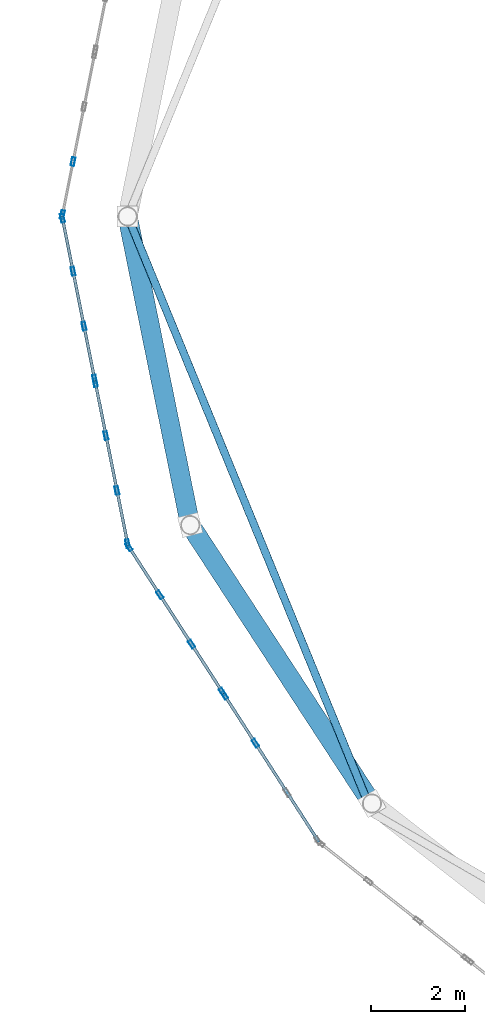
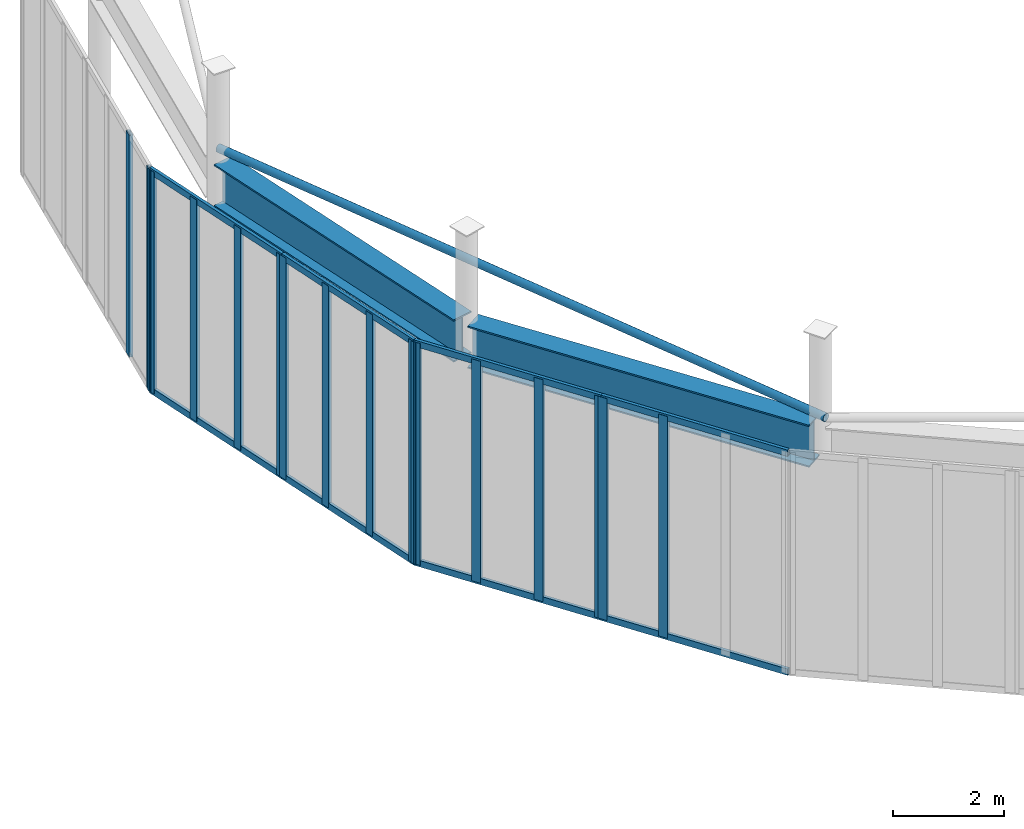
# One storey, part 29 of 91: 25 members, 2 beams, 5 elements without a shape of their own.
"""IFC4 building model written with IfcOpenShell, lengths in metres."""

from ifc_helpers import new_model, si_unit, direction, frame, origin, origin_2d, place, context, subcontext, project, spatial, hollow_rectangle, hollow_circle, i_section, extrude, material, layer, layer_set, material_profile, profile_set, type_object, element, aggregate, save


model = new_model("IFC4")

# Units and contexts
model_context = context("Model", 3, precision=1e-05, world=origin(), true_north=direction((0.0, 1.0)))
body_context = subcontext(model_context, "Body", "Model", "MODEL_VIEW")
ifc_project = project(units=[si_unit("LENGTHUNIT", "METRE"), si_unit("AREAUNIT", "SQUARE_METRE"), si_unit("VOLUMEUNIT", "CUBIC_METRE"), si_unit("PLANEANGLEUNIT", "RADIAN"), si_unit("MASSUNIT", "GRAM", prefix="KILO")], contexts=[model_context])

# Site, building, storey
site_placement = place(None, origin())
site = spatial("IfcSite", under=ifc_project, at=site_placement, CompositionType="ELEMENT")
building_placement = place(site_placement, origin())
building = spatial("IfcBuilding", under=site, at=building_placement, Name="Sollismere Congress Hotel", CompositionType="ELEMENT")
storey_placement = place(building_placement, frame((0.0, 0.0, 10.800048828125)))
storey = spatial("IfcBuildingStorey", under=building, at=storey_placement, Name="L02", CompositionType="ELEMENT", Elevation=10.800048828125)

# Beams
ifc_material_1 = material(Name="Steel ASTM A992 Grade 50", Category="steel")
ifc_material_profile_1 = material_profile(ifc_material_1, i_section(OverallWidth=0.4189453125, OverallDepth=0.927001953125, WebThickness=0.019287109375, FlangeThickness=0.031982421875, at=origin_2d()), Name="W36X231")
ifc_profile_set_1 = profile_set([ifc_material_profile_1], Name="Steel ASTM A992 Grade 50")
beam_type = type_object("IfcBeamType", Name="BM-RG36", PredefinedType="SPANDREL", material=ifc_profile_set_1)
beam_1_placement = place(storey_placement, frame((1.673828125, 90.282470703125, 4.156494140625), z_axis=(0.198827417532, -0.980034518799, 0.0), x_axis=(0.980034518799, 0.198827417532, 0.0)))
element("IfcBeam", 1, at=beam_1_placement, inside=storey, type_object=beam_type, Name="Beam BM-L02-4216", PredefinedType="SPANDREL", context=body_context, shape_type="SweptSolid", body=[
    extrude(i_section(OverallWidth=0.4189453125, OverallDepth=0.927001953125, WebThickness=0.019287109375, FlangeThickness=0.031982421875, at=origin_2d()), origin(), (0.0, 0.0, 1.0), 6.491943359375),
])
beam_2_placement = place(storey_placement, frame((3.05419921875, 83.701904296875, 4.156494140625), z_axis=(0.546609343854, -0.837387738871, 0.0), x_axis=(0.837387738871, 0.546609343854, 0.0)))
element("IfcBeam", 2, at=beam_2_placement, inside=storey, type_object=beam_type, Name="Beam BM-L02-4217", PredefinedType="SPANDREL", context=body_context, shape_type="SweptSolid", body=[
    extrude(i_section(OverallWidth=0.4189453125, OverallDepth=0.927001953125, WebThickness=0.019287109375, FlangeThickness=0.031982421875, at=origin_2d()), origin(), (0.0, 0.0, 1.0), 6.8671875),
])

# Member
ifc_material_2 = material(Name="Steel ASTM A500 Grade C", Category="steel")
ifc_material_profile_2 = material_profile(ifc_material_2, hollow_circle(Radius=0.083984375, WallThickness=0.008056640625, at=origin_2d()), Name="CHS168X8")
ifc_profile_set_2 = profile_set([ifc_material_profile_2], Name="Steel ASTM A500 Grade C")
member_type_1 = type_object("IfcMemberType", Name="MB-TI168", PredefinedType="STRINGER", material=ifc_profile_set_2)
member_1_placement = place(storey_placement, frame((1.653076171875, 90.39990234375, 4.820068359375), z_axis=(0.379095812585, -0.925357425474, 0.0), x_axis=(0.925357425474, 0.379095812585, 0.0)))
element("IfcMember", 3, at=member_1_placement, inside=storey, type_object=member_type_1, Name="MEM-DT-06", PredefinedType="STRINGER", context=body_context, shape_type="SweptSolid", body=[
    extrude(hollow_circle(Radius=0.083984375, WallThickness=0.008056640625, at=origin_2d()), origin(), (0.0, 0.0, 1.0), 13.776611328125),
])

# Curtain wall, members
ifc_material_3 = material(Name="Anodized Bronze Curtain Wall & Low-E Triple Glazing", Category="glass")
ifc_layer = layer(ifc_material_3, 0.199951171875, Name="Anodized Bronze Curtain Wall & Low-E Triple Glazing")
ifc_layer_set = layer_set([ifc_layer], Name="Anodized Bronze Curtain Wall & Low-E Triple Glazing")
curtain_wall_type = type_object("IfcCurtainWallType", Name="CW-GLZ36", PredefinedType="USERDEFINED", material=ifc_layer_set)
curtain_wall_1_placement = place(storey_placement, origin())
curtain_wall_1 = element("IfcCurtainWall", 4, at=curtain_wall_1_placement, inside=storey, type_object=curtain_wall_type, Name="Unitised curtain wall CW-L02-042", ObjectType="UNITISED CURTAIN WALL", PredefinedType="USERDEFINED")
ifc_material_4 = material(Name="Anodized Aluminum 6063-T6", Category="aluminium")
ifc_material_profile_3 = material_profile(ifc_material_4, hollow_rectangle(XDim=0.074951171875, YDim=0.179931640625, WallThickness=0.0048828125, at=origin_2d()), Name="ALU180X75X5")
ifc_profile_set_3 = profile_set([ifc_material_profile_3], Name="Anodized Aluminum 6063-T6")
member_type_2 = type_object("IfcMemberType", Name="ML-CW180", PredefinedType="MULLION", material=ifc_profile_set_3)
member_2_placement = place(storey_placement, frame((0.484619140625, 91.57177734375, 0.0), z_axis=(0.0, 0.0, 1.0), x_axis=(0.98055305186, -0.196254203749, 0.0)))
member_2 = element("IfcMember", 5, at=member_2_placement, type_object=member_type_2, Name="CWL-CW-L02-042-ML03", PredefinedType="MULLION", context=body_context, shape_type="SweptSolid", body=[
    extrude(hollow_rectangle(XDim=0.074951171875, YDim=0.179931640625, WallThickness=0.0048828125, at=origin_2d()), origin(), (0.0, 0.0, 1.0), 4.85986328125),
])
member_3_placement = place(storey_placement, frame((0.257568359375, 90.437255859375, 0.0), z_axis=(0.0, 0.0, 1.0), x_axis=(0.98055305186, -0.196254203749, 0.0)))
member_3 = element("IfcMember", 6, at=member_3_placement, type_object=member_type_2, Name="CWL-CW-L02-042-ML04", PredefinedType="MULLION", context=body_context, shape_type="SweptSolid", body=[
    extrude(hollow_rectangle(XDim=0.074951171875, YDim=0.179931640625, WallThickness=0.0048828125, at=origin_2d()), origin(), (0.0, 0.0, 1.0), 4.85986328125),
])
aggregate(curtain_wall_1, [member_2, member_3])

curtain_wall_2_placement = place(storey_placement, origin())
curtain_wall_2 = element("IfcCurtainWall", 7, at=curtain_wall_2_placement, inside=storey, type_object=curtain_wall_type, Name="Unitised curtain wall CW-L02-045", ObjectType="UNITISED CURTAIN WALL", PredefinedType="USERDEFINED")
member_4_placement = place(storey_placement, frame((0.257568359375, 90.36279296875, 0.0), z_axis=(0.0, 0.0, 1.0), x_axis=(0.98055305186, 0.196254203749, 0.0)))
member_4 = element("IfcMember", 8, at=member_4_placement, type_object=member_type_2, Name="CWL-CW-L02-045-ML01", PredefinedType="MULLION", context=body_context, shape_type="SweptSolid", body=[
    extrude(hollow_rectangle(XDim=0.074951171875, YDim=0.179931640625, WallThickness=0.0048828125, at=origin_2d()), origin(), (0.0, 0.0, 1.0), 4.85986328125),
])
member_5_placement = place(storey_placement, frame((0.484619140625, 89.228271484375, 0.0), z_axis=(0.0, 0.0, 1.0), x_axis=(0.98055305186, 0.196254203749, 0.0)))
member_5 = element("IfcMember", 9, at=member_5_placement, type_object=member_type_2, Name="CWL-CW-L02-045-ML02", PredefinedType="MULLION", context=body_context, shape_type="SweptSolid", body=[
    extrude(hollow_rectangle(XDim=0.074951171875, YDim=0.179931640625, WallThickness=0.0048828125, at=origin_2d()), origin(), (0.0, 0.0, 1.0), 4.85986328125),
])
member_6_placement = place(storey_placement, frame((0.718994140625, 88.056640625, 0.0), z_axis=(0.0, 0.0, 1.0), x_axis=(0.98055305186, 0.196254203749, 0.0)))
member_6 = element("IfcMember", 10, at=member_6_placement, type_object=member_type_2, Name="CWL-CW-L02-045-ML03", PredefinedType="MULLION", context=body_context, shape_type="SweptSolid", body=[
    extrude(hollow_rectangle(XDim=0.074951171875, YDim=0.179931640625, WallThickness=0.0048828125, at=origin_2d()), origin(), (0.0, 0.0, 1.0), 4.85986328125),
])
member_7_placement = place(storey_placement, frame((0.946044921875, 86.922119140625, 0.0), z_axis=(0.0, 0.0, 1.0), x_axis=(0.98055305186, 0.196254203749, 0.0)))
member_7 = element("IfcMember", 11, at=member_7_placement, type_object=member_type_2, Name="CWL-CW-L02-045-ML04", PredefinedType="MULLION", context=body_context, shape_type="SweptSolid", body=[
    extrude(hollow_rectangle(XDim=0.074951171875, YDim=0.179931640625, WallThickness=0.0048828125, at=origin_2d()), origin(), (0.0, 0.0, 1.0), 4.85986328125),
])

curtain_wall_3_placement = place(storey_placement, origin())
curtain_wall_3 = element("IfcCurtainWall", 12, at=curtain_wall_3_placement, inside=storey, type_object=curtain_wall_type, Name="Unitised curtain wall CW-L02-046", ObjectType="UNITISED CURTAIN WALL", PredefinedType="USERDEFINED")
member_8_placement = place(storey_placement, frame((0.9609375, 86.84765625, 0.0), z_axis=(0.0, 0.0, 1.0), x_axis=(0.98055305186, 0.196254203749, 0.0)))
member_8 = element("IfcMember", 13, at=member_8_placement, type_object=member_type_2, Name="CWL-CW-L02-046-ML01", PredefinedType="MULLION", context=body_context, shape_type="SweptSolid", body=[
    extrude(hollow_rectangle(XDim=0.074951171875, YDim=0.179931640625, WallThickness=0.0048828125, at=origin_2d()), origin(), (0.0, 0.0, 1.0), 4.85986328125),
])
member_9_placement = place(storey_placement, frame((1.18798828125, 85.71337890625, 0.0), z_axis=(0.0, 0.0, 1.0), x_axis=(0.98055305186, 0.196254203749, 0.0)))
member_9 = element("IfcMember", 14, at=member_9_placement, type_object=member_type_2, Name="CWL-CW-L02-046-ML02", PredefinedType="MULLION", context=body_context, shape_type="SweptSolid", body=[
    extrude(hollow_rectangle(XDim=0.074951171875, YDim=0.179931640625, WallThickness=0.0048828125, at=origin_2d()), origin(), (0.0, 0.0, 1.0), 4.85986328125),
])
member_10_placement = place(storey_placement, frame((1.422607421875, 84.54150390625, 0.0), z_axis=(0.0, 0.0, 1.0), x_axis=(0.98055305186, 0.196254203749, 0.0)))
member_10 = element("IfcMember", 15, at=member_10_placement, type_object=member_type_2, Name="CWL-CW-L02-046-ML03", PredefinedType="MULLION", context=body_context, shape_type="SweptSolid", body=[
    extrude(hollow_rectangle(XDim=0.074951171875, YDim=0.179931640625, WallThickness=0.0048828125, at=origin_2d()), origin(), (0.0, 0.0, 1.0), 4.85986328125),
])
member_11_placement = place(storey_placement, frame((1.649658203125, 83.4072265625, 0.0), z_axis=(0.0, 0.0, 1.0), x_axis=(0.98055305186, 0.196254203749, 0.0)))
member_11 = element("IfcMember", 16, at=member_11_placement, type_object=member_type_2, Name="CWL-CW-L02-046-ML04", PredefinedType="MULLION", context=body_context, shape_type="SweptSolid", body=[
    extrude(hollow_rectangle(XDim=0.074951171875, YDim=0.179931640625, WallThickness=0.0048828125, at=origin_2d()), origin(), (0.0, 0.0, 1.0), 4.85986328125),
])

curtain_wall_4_placement = place(storey_placement, origin())
curtain_wall_4 = element("IfcCurtainWall", 17, at=curtain_wall_4_placement, inside=storey, type_object=curtain_wall_type, Name="Unitised curtain wall CW-L02-051", ObjectType="UNITISED CURTAIN WALL", PredefinedType="USERDEFINED")
member_12_placement = place(storey_placement, frame((1.677734375, 83.337890625, 0.0), z_axis=(0.0, 0.0, 1.0), x_axis=(0.840774542547, 0.541385415951, 0.0)))
member_12 = element("IfcMember", 18, at=member_12_placement, type_object=member_type_2, Name="CWL-CW-L02-051-ML01", PredefinedType="MULLION", context=body_context, shape_type="SweptSolid", body=[
    extrude(hollow_rectangle(XDim=0.074951171875, YDim=0.179931640625, WallThickness=0.0048828125, at=origin_2d()), origin(), (0.0, 0.0, 1.0), 4.85986328125),
])
member_13_placement = place(storey_placement, frame((2.337646484375, 82.31298828125, 0.0), z_axis=(0.0, 0.0, 1.0), x_axis=(0.840774542547, 0.541385415951, 0.0)))
member_13 = element("IfcMember", 19, at=member_13_placement, type_object=member_type_2, Name="CWL-CW-L02-051-ML02", PredefinedType="MULLION", context=body_context, shape_type="SweptSolid", body=[
    extrude(hollow_rectangle(XDim=0.074951171875, YDim=0.179931640625, WallThickness=0.0048828125, at=origin_2d()), origin(), (0.0, 0.0, 1.0), 4.85986328125),
])
member_14_placement = place(storey_placement, frame((3.018310546875, 81.255859375, 0.0), z_axis=(0.0, 0.0, 1.0), x_axis=(0.840774542547, 0.541385415951, 0.0)))
member_14 = element("IfcMember", 20, at=member_14_placement, type_object=member_type_2, Name="CWL-CW-L02-051-ML03", PredefinedType="MULLION", context=body_context, shape_type="SweptSolid", body=[
    extrude(hollow_rectangle(XDim=0.074951171875, YDim=0.179931640625, WallThickness=0.0048828125, at=origin_2d()), origin(), (0.0, 0.0, 1.0), 4.85986328125),
])
member_15_placement = place(storey_placement, frame((3.678466796875, 80.230712890625, 0.0), z_axis=(0.0, 0.0, 1.0), x_axis=(0.840774542547, 0.541385415951, 0.0)))
member_15 = element("IfcMember", 21, at=member_15_placement, type_object=member_type_2, Name="CWL-CW-L02-051-ML04", PredefinedType="MULLION", context=body_context, shape_type="SweptSolid", body=[
    extrude(hollow_rectangle(XDim=0.074951171875, YDim=0.179931640625, WallThickness=0.0048828125, at=origin_2d()), origin(), (0.0, 0.0, 1.0), 4.85986328125),
])

curtain_wall_5_placement = place(storey_placement, origin())
curtain_wall_5 = element("IfcCurtainWall", 22, at=curtain_wall_5_placement, inside=storey, type_object=curtain_wall_type, Name="Unitised curtain wall CW-L02-052", ObjectType="UNITISED CURTAIN WALL", PredefinedType="USERDEFINED")
member_16_placement = place(storey_placement, frame((3.719482421875, 80.1669921875, 0.0), z_axis=(0.0, 0.0, 1.0), x_axis=(0.840774542547, 0.541385415951, 0.0)))
member_16 = element("IfcMember", 23, at=member_16_placement, type_object=member_type_2, Name="CWL-CW-L02-052-ML01", PredefinedType="MULLION", context=body_context, shape_type="SweptSolid", body=[
    extrude(hollow_rectangle(XDim=0.074951171875, YDim=0.179931640625, WallThickness=0.0048828125, at=origin_2d()), origin(), (0.0, 0.0, 1.0), 4.85986328125),
])
member_17_placement = place(storey_placement, frame((4.379638671875, 79.141845703125, 0.0), z_axis=(0.0, 0.0, 1.0), x_axis=(0.840774542547, 0.541385415951, 0.0)))
member_17 = element("IfcMember", 24, at=member_17_placement, type_object=member_type_2, Name="CWL-CW-L02-052-ML02", PredefinedType="MULLION", context=body_context, shape_type="SweptSolid", body=[
    extrude(hollow_rectangle(XDim=0.074951171875, YDim=0.179931640625, WallThickness=0.0048828125, at=origin_2d()), origin(), (0.0, 0.0, 1.0), 4.85986328125),
])

# Member
ifc_material_profile_4 = material_profile(ifc_material_4, hollow_rectangle(XDim=0.06494140625, YDim=0.139892578125, WallThickness=0.00390625, at=origin_2d()), Name="ALU140X65X4")
ifc_profile_set_4 = profile_set([ifc_material_profile_4], Name="Anodized Aluminum 6063-T6")
member_type_3 = type_object("IfcMemberType", Name="TR-CW150", PredefinedType="MEMBER", material=ifc_profile_set_4)
member_18_placement = place(storey_placement, frame((0.25, 90.39990234375, 0.032470703125), z_axis=(0.19628640144, -0.980546607056, 0.0), x_axis=(0.980546607056, 0.19628640144, 0.0)))
member_18 = element("IfcMember", 25, at=member_18_placement, type_object=member_type_3, Name="CWL-CW-L02-045-TR1", PredefinedType="MEMBER", context=body_context, shape_type="SweptSolid", body=[
    extrude(hollow_rectangle(XDim=0.06494140625, YDim=0.139892578125, WallThickness=0.00390625, at=origin_2d()), origin(), (0.0, 0.0, 1.0), 3.584716796875),
])

member_19_placement = place(storey_placement, frame((0.25, 90.39990234375, 4.827392578125), z_axis=(0.19628640144, -0.980546607056, 0.0), x_axis=(0.980546607056, 0.19628640144, 0.0)))
member_19 = element("IfcMember", 26, at=member_19_placement, type_object=member_type_3, Name="CWL-CW-L02-045-TR2", PredefinedType="MEMBER", context=body_context, shape_type="SweptSolid", body=[
    extrude(hollow_rectangle(XDim=0.06494140625, YDim=0.139892578125, WallThickness=0.00390625, at=origin_2d()), origin(), (0.0, 0.0, 1.0), 3.584716796875),
])

aggregate(curtain_wall_2, [member_4, member_5, member_6, member_7, member_18, member_19])

member_20_placement = place(storey_placement, frame((0.95361328125, 86.885009765625, 0.032470703125), z_axis=(0.196207812831, -0.980562335695, 0.0), x_axis=(0.980562335695, 0.196207812831, 0.0)))
member_20 = element("IfcMember", 27, at=member_20_placement, type_object=member_type_3, Name="CWL-CW-L02-046-TR1", PredefinedType="MEMBER", context=body_context, shape_type="SweptSolid", body=[
    extrude(hollow_rectangle(XDim=0.06494140625, YDim=0.139892578125, WallThickness=0.00390625, at=origin_2d()), origin(), (0.0, 0.0, 1.0), 3.584716796875),
])

member_21_placement = place(storey_placement, frame((0.95361328125, 86.885009765625, 4.827392578125), z_axis=(0.196207812831, -0.980562335695, 0.0), x_axis=(0.980562335695, 0.196207812831, 0.0)))
member_21 = element("IfcMember", 28, at=member_21_placement, type_object=member_type_3, Name="CWL-CW-L02-046-TR2", PredefinedType="MEMBER", context=body_context, shape_type="SweptSolid", body=[
    extrude(hollow_rectangle(XDim=0.06494140625, YDim=0.139892578125, WallThickness=0.00390625, at=origin_2d()), origin(), (0.0, 0.0, 1.0), 3.584716796875),
])

aggregate(curtain_wall_3, [member_8, member_9, member_10, member_11, member_20, member_21])

member_22_placement = place(storey_placement, frame((1.656982421875, 83.369873046875, 0.032470703125), z_axis=(0.541424846284, -0.840749151547, 0.0), x_axis=(0.840749151547, 0.541424846284, 0.0)))
member_22 = element("IfcMember", 29, at=member_22_placement, type_object=member_type_3, Name="CWL-CW-L02-051-TR1", PredefinedType="MEMBER", context=body_context, shape_type="SweptSolid", body=[
    extrude(hollow_rectangle(XDim=0.06494140625, YDim=0.139892578125, WallThickness=0.00390625, at=origin_2d()), origin(), (0.0, 0.0, 1.0), 3.771484375),
])

member_23_placement = place(storey_placement, frame((1.656982421875, 83.369873046875, 4.827392578125), z_axis=(0.541424846284, -0.840749151547, 0.0), x_axis=(0.840749151547, 0.541424846284, 0.0)))
member_23 = element("IfcMember", 30, at=member_23_placement, type_object=member_type_3, Name="CWL-CW-L02-051-TR2", PredefinedType="MEMBER", context=body_context, shape_type="SweptSolid", body=[
    extrude(hollow_rectangle(XDim=0.06494140625, YDim=0.139892578125, WallThickness=0.00390625, at=origin_2d()), origin(), (0.0, 0.0, 1.0), 3.771484375),
])

aggregate(curtain_wall_4, [member_12, member_13, member_14, member_15, member_22, member_23])

member_24_placement = place(storey_placement, frame((3.698974609375, 80.198974609375, 0.032470703125), z_axis=(0.541349622113, -0.840797589577, 0.0), x_axis=(0.840797589577, 0.541349622113, 0.0)))
member_24 = element("IfcMember", 31, at=member_24_placement, type_object=member_type_3, Name="CWL-CW-L02-052-TR1", PredefinedType="MEMBER", context=body_context, shape_type="SweptSolid", body=[
    extrude(hollow_rectangle(XDim=0.06494140625, YDim=0.139892578125, WallThickness=0.00390625, at=origin_2d()), origin(), (0.0, 0.0, 1.0), 3.771484375),
])

member_25_placement = place(storey_placement, frame((3.698974609375, 80.198974609375, 4.827392578125), z_axis=(0.541349622113, -0.840797589577, 0.0), x_axis=(0.840797589577, 0.541349622113, 0.0)))
member_25 = element("IfcMember", 32, at=member_25_placement, type_object=member_type_3, Name="CWL-CW-L02-052-TR2", PredefinedType="MEMBER", context=body_context, shape_type="SweptSolid", body=[
    extrude(hollow_rectangle(XDim=0.06494140625, YDim=0.139892578125, WallThickness=0.00390625, at=origin_2d()), origin(), (0.0, 0.0, 1.0), 3.771484375),
])

aggregate(curtain_wall_5, [member_16, member_17, member_24, member_25])

save(model, "model.ifc")
